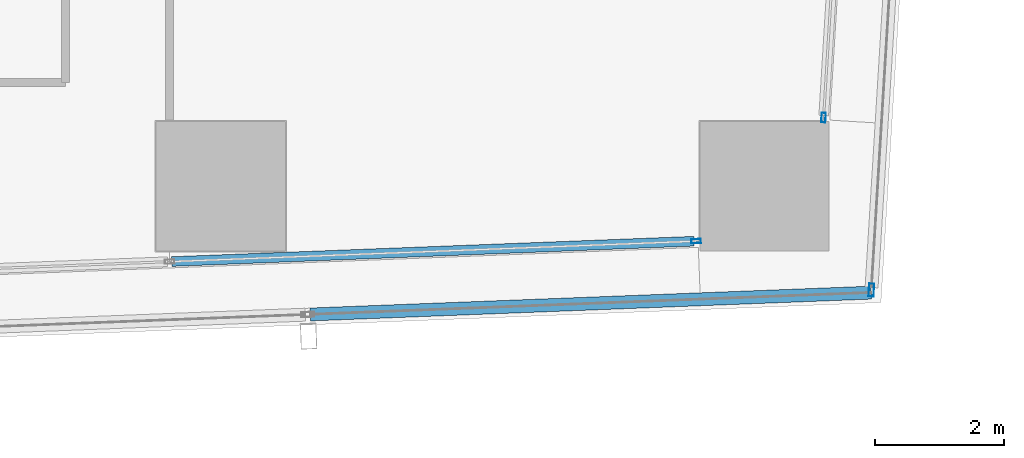
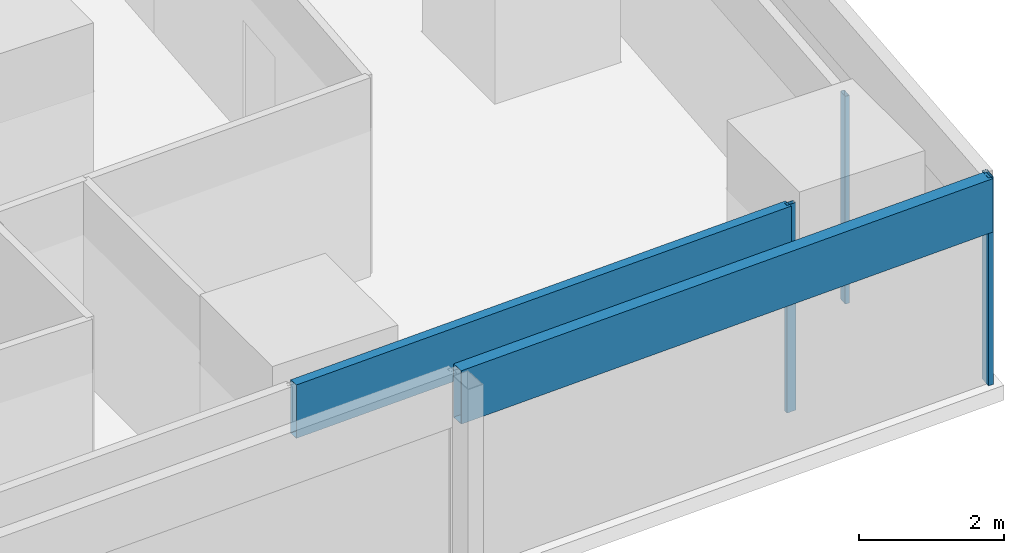
# One storey, part 12 of 39: 5 members, 4 elements without a shape of their own.
"""IFC4 building model written with IfcOpenShell, lengths in metres."""

from ifc_helpers import new_model, si_unit, direction, frame, origin, origin_2d, place, context, subcontext, project, spatial, hollow_rectangle, extrude, material, material_profile, profile_set, type_object, element, aggregate, save


model = new_model("IFC4")

# Units and contexts
model_context = context("Model", 3, precision=1e-05, world=origin(), true_north=direction((0.0, 1.0)))
body_context = subcontext(model_context, "Body", "Model", "MODEL_VIEW")
ifc_project = project(units=[si_unit("LENGTHUNIT", "METRE"), si_unit("AREAUNIT", "SQUARE_METRE"), si_unit("VOLUMEUNIT", "CUBIC_METRE"), si_unit("PLANEANGLEUNIT", "RADIAN"), si_unit("MASSUNIT", "GRAM", prefix="KILO")], contexts=[model_context])

# Site, building, storey
site_placement = place(None, origin())
site = spatial("IfcSite", under=ifc_project, at=site_placement, CompositionType="ELEMENT")
building_placement = place(site_placement, origin())
building = spatial("IfcBuilding", under=site, at=building_placement, Name="Rekha Terrace Tower", CompositionType="ELEMENT")
storey_placement = place(building_placement, frame((0.0, 0.0, 147.800048828125)))
storey = spatial("IfcBuildingStorey", under=building, at=storey_placement, Name="L37", CompositionType="ELEMENT", Elevation=147.800048828125)

# Curtain wall, member
ifc_material_1 = material(Name="Aluminium framing", Category="aluminium")
curtain_wall_type_1 = type_object("IfcCurtainWallType", Name="CW1 double skin inner glazing", PredefinedType="USERDEFINED", material=ifc_material_1)
curtain_wall_1_placement = place(storey_placement, origin())
curtain_wall_1 = element("IfcCurtainWall", 1, at=curtain_wall_1_placement, inside=storey, type_object=curtain_wall_type_1, Name="CW1 double skin inner glazing", ObjectType="DOUBLE SKIN INNER GLAZING", PredefinedType="USERDEFINED")
ifc_material_2 = material(Name="Aluminium mullion section", Category="aluminium")
ifc_material_profile_1 = material_profile(ifc_material_2, hollow_rectangle(XDim=0.06494140625, YDim=0.14990234375, WallThickness=0.00390625, at=origin_2d()), Name="AL RHS 65x150")
ifc_profile_set_1 = profile_set([ifc_material_profile_1], Name="Aluminium mullion section")
member_type_1 = type_object("IfcMemberType", Name="CW1 mullion RHS 65 x 150", PredefinedType="MULLION", material=ifc_profile_set_1)
member_1_placement = place(storey_placement, frame((66.143798828125, 15.94970703125, 0.0), z_axis=(0.0, 0.0, 1.0), x_axis=(-0.038889971328, 0.999243498918, 0.0)))
member_1 = element("IfcMember", 2, at=member_1_placement, type_object=member_type_1, Name="CW1 mullion 6", PredefinedType="MULLION", context=body_context, shape_type="SweptSolid", body=[
    extrude(hollow_rectangle(XDim=0.06494140625, YDim=0.14990234375, WallThickness=0.00390625, at=origin_2d()), origin(), (0.0, 0.0, 1.0), 3.5),
])

curtain_wall_2_placement = place(storey_placement, origin())
curtain_wall_2 = element("IfcCurtainWall", 3, at=curtain_wall_2_placement, inside=storey, type_object=curtain_wall_type_1, Name="CW1 double skin inner glazing", ObjectType="DOUBLE SKIN INNER GLAZING", PredefinedType="USERDEFINED")
member_2_placement = place(storey_placement, frame((68.113037109375, 17.85791015625, 0.0), z_axis=(0.0, 0.0, 1.0), x_axis=(-0.998127987024, 0.061159803131, 0.0)))
member_2 = element("IfcMember", 4, at=member_2_placement, type_object=member_type_1, Name="CW1 mullion 1", PredefinedType="MULLION", context=body_context, shape_type="SweptSolid", body=[
    extrude(hollow_rectangle(XDim=0.06494140625, YDim=0.14990234375, WallThickness=0.00390625, at=origin_2d()), origin(), (0.0, 0.0, 1.0), 3.5),
])
aggregate(curtain_wall_2, [member_2])

# Member
ifc_material_3 = material(Name="Insulated aluminium spandrel box", Category="aluminium")
ifc_material_profile_2 = material_profile(ifc_material_3, hollow_rectangle(XDim=0.14990234375, YDim=0.89990234375, WallThickness=0.0029296875, at=origin_2d()), Name="AL SPANDREL BOX 150x900")
ifc_profile_set_2 = profile_set([ifc_material_profile_2], Name="Insulated aluminium spandrel box")
member_type_2 = type_object("IfcMemberType", Name="CW1 spandrel transom 150 x 900", PredefinedType="USERDEFINED", material=ifc_profile_set_2)
member_3_placement = place(storey_placement, frame((58.04296875, 15.63427734375, 3.050048828125), z_axis=(0.999242568969, 0.038913858214, 0.0), x_axis=(-0.038913858214, 0.999242568969, 0.0)))
member_3 = element("IfcMember", 5, at=member_3_placement, type_object=member_type_2, Name="CW1 spandrel transom 5", ObjectType="TRANSOM", PredefinedType="USERDEFINED", context=body_context, shape_type="SweptSolid", body=[
    extrude(hollow_rectangle(XDim=0.14990234375, YDim=0.89990234375, WallThickness=0.0029296875, at=origin_2d()), origin(), (0.0, 0.0, 1.0), 8.074462890625),
])

aggregate(curtain_wall_1, [member_1, member_3])

# Curtain wall, member
curtain_wall_type_2 = type_object("IfcCurtainWallType", Name="CW2 double skin outer glazing", PredefinedType="USERDEFINED", material=ifc_material_1)
curtain_wall_3_placement = place(storey_placement, origin())
curtain_wall_3 = element("IfcCurtainWall", 6, at=curtain_wall_3_placement, inside=storey, type_object=curtain_wall_type_2, Name="CW2 double skin outer glazing", ObjectType="DOUBLE SKIN OUTER GLAZING", PredefinedType="USERDEFINED")
ifc_material_profile_3 = material_profile(ifc_material_2, hollow_rectangle(XDim=0.080078125, YDim=0.199951171875, WallThickness=0.00390625, at=origin_2d()), Name="AL RHS 80x200")
ifc_profile_set_3 = profile_set([ifc_material_profile_3], Name="Aluminium mullion section")
member_type_3 = type_object("IfcMemberType", Name="CW2 mullion RHS 80 x 200", PredefinedType="MULLION", material=ifc_profile_set_3)
member_4_placement = place(storey_placement, frame((68.8515625, 15.194091796875, 0.0), z_axis=(0.0, 0.0, 1.0), x_axis=(-0.998127987024, 0.061159803131, 0.0)))
member_4 = element("IfcMember", 7, at=member_4_placement, type_object=member_type_3, Name="CW2 mullion 1", PredefinedType="MULLION", context=body_context, shape_type="SweptSolid", body=[
    extrude(hollow_rectangle(XDim=0.080078125, YDim=0.199951171875, WallThickness=0.00390625, at=origin_2d()), origin(), (0.0, 0.0, 1.0), 3.5),
])
aggregate(curtain_wall_3, [member_4])

curtain_wall_4_placement = place(storey_placement, origin())
curtain_wall_4 = element("IfcCurtainWall", 8, at=curtain_wall_4_placement, inside=storey, type_object=curtain_wall_type_2, Name="CW2 double skin outer glazing", ObjectType="DOUBLE SKIN OUTER GLAZING", PredefinedType="USERDEFINED")
ifc_material_profile_4 = material_profile(ifc_material_3, hollow_rectangle(XDim=0.199951171875, YDim=0.89990234375, WallThickness=0.0029296875, at=origin_2d()), Name="AL SPANDREL BOX 200x900")
ifc_profile_set_4 = profile_set([ifc_material_profile_4], Name="Insulated aluminium spandrel box")
member_type_4 = type_object("IfcMemberType", Name="CW2 spandrel transom 200 x 900", PredefinedType="USERDEFINED", material=ifc_profile_set_4)
member_5_placement = place(storey_placement, frame((60.18408203125, 14.81689453125, 3.050048828125), z_axis=(0.99924276334, 0.038908866757, 0.0), x_axis=(-0.038908866757, 0.99924276334, 0.0)))
member_5 = element("IfcMember", 9, at=member_5_placement, type_object=member_type_4, Name="CW2 spandrel transom 5", ObjectType="TRANSOM", PredefinedType="USERDEFINED", context=body_context, shape_type="SweptSolid", body=[
    extrude(hollow_rectangle(XDim=0.199951171875, YDim=0.89990234375, WallThickness=0.0029296875, at=origin_2d()), origin(), (0.0, 0.0, 1.0), 8.671630859375),
])
aggregate(curtain_wall_4, [member_5])

save(model, "model.ifc")
